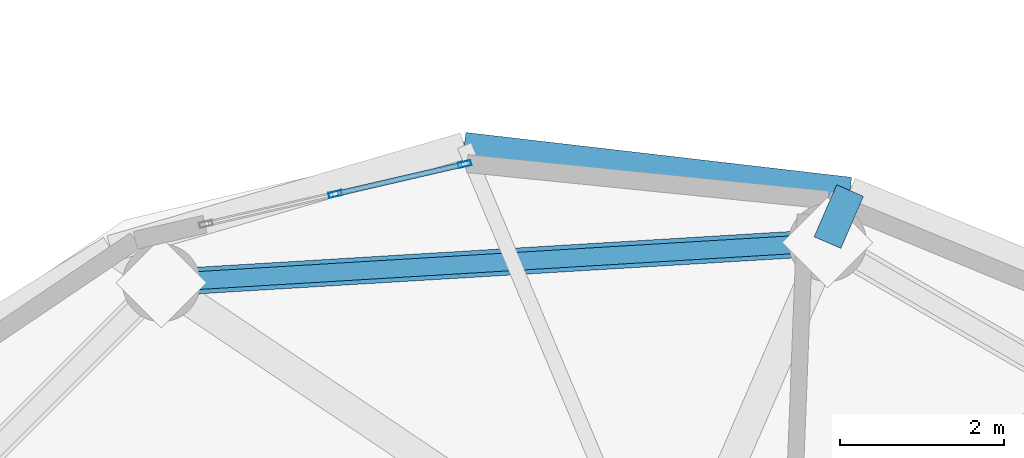
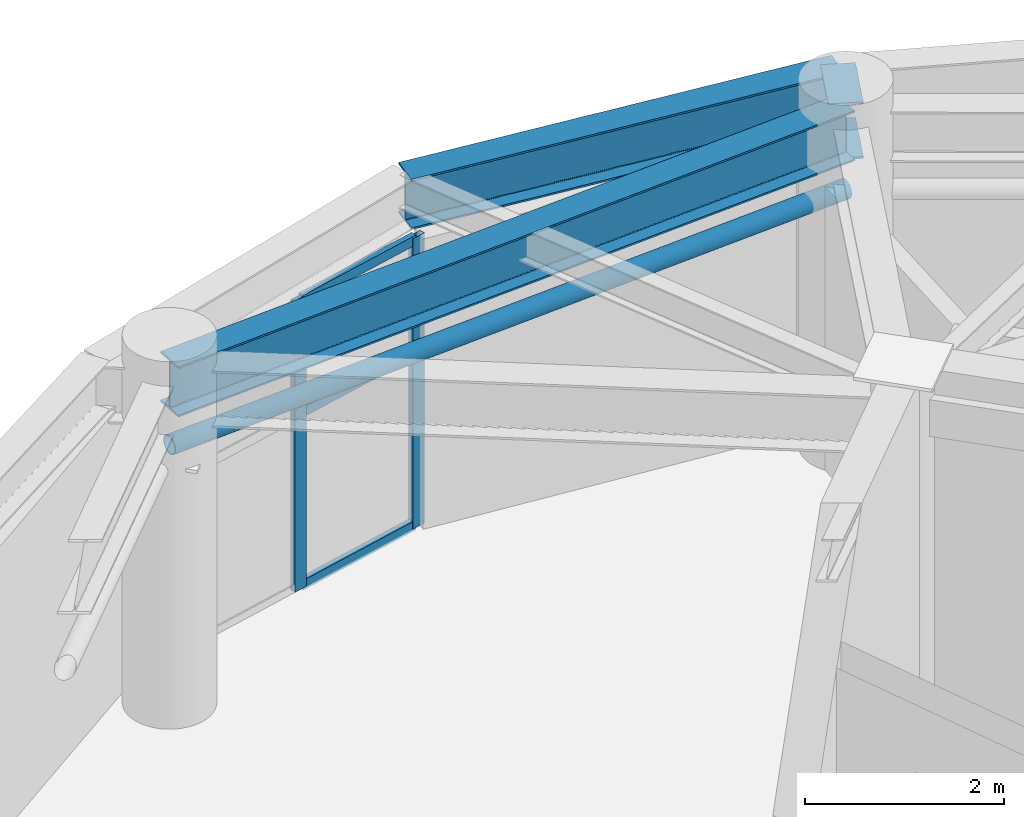
# One storey, part 17 of 26: 6 members, 3 beams, 1 element without a shape of its own.
"""IFC4 building model written with IfcOpenShell, lengths in metres."""

import ifcopenshell
import ifcopenshell.guid

model = None  # the IFC model being written
_history = None  # IfcOwnerHistory: only IFC2X3 demands one
_inside = {}  # id of a spatial element -> (the spatial element, [elements in it])
_under = {}  # id of a project, library or spatial element -> (it, [spatial elements below it])
_declared = {}  # id of a project -> (the project, [libraries it declares])
_typed = {}  # id of a type object -> (the type object, [elements of that type])
_made_of = {}  # id of a material, layer set ... -> (it, [elements and type objects made of it])


def new_model(schema):
    """Start an empty IFC model of exactly this schema.

    Asked for "IFC4X3", IfcOpenShell would pick the latest addendum, in which some entities
    have other attributes; the version numbers below select the first issue.
    IFC2X3 requires an IfcOwnerHistory on every rooted entity: one is made here for all.
    """
    global model, _history
    if schema == "IFC4X3":
        model = ifcopenshell.file(schema_version=(4, 3, 0, 0))
    else:
        model = ifcopenshell.file(schema=schema)
    _inside.clear()
    _under.clear()
    _declared.clear()
    _typed.clear()
    _made_of.clear()
    _history = None
    if model.schema == "IFC2X3":
        org = make("IfcOrganization", Name="unknown")
        user = make(
            "IfcPersonAndOrganization",
            ThePerson=make("IfcPerson", FamilyName="unknown"),
            TheOrganization=org,
        )
        app = make(
            "IfcApplication",
            ApplicationDeveloper=org,
            Version="unknown",
            ApplicationFullName="unknown",
            ApplicationIdentifier="unknown",
        )
        _history = make(
            "IfcOwnerHistory",
            OwningUser=user,
            OwningApplication=app,
            ChangeAction="ADDED",
            CreationDate=0,
        )
    return model


def make(cls, **values):
    """One entity of the class cls with the attributes given. An attribute that is None is left unset."""
    return model.create_entity(
        cls, **{name: value for name, value in values.items() if value is not None}
    )


def rooted(cls, **values):
    """An entity with a GlobalId (a new one), such as an element, a storey or a relation."""
    return make(cls, GlobalId=ifcopenshell.guid.new(), OwnerHistory=_history, **values)


def si_unit(unit_type, name, prefix=None):
    """IfcSIUnit, for example si_unit("LENGTHUNIT", "METRE", prefix="MILLI")."""
    return make("IfcSIUnit", UnitType=unit_type, Prefix=prefix, Name=name)


def assignment(units):
    """IfcUnitAssignment: the units of a project."""
    return None if units is None else make("IfcUnitAssignment", Units=units)


def point(xyz):
    """IfcCartesianPoint."""
    return None if xyz is None else make("IfcCartesianPoint", Coordinates=xyz)


def direction(xyz):
    """IfcDirection."""
    return None if xyz is None else make("IfcDirection", DirectionRatios=xyz)


def frame(location, z_axis=None, x_axis=None):
    """IfcAxis2Placement3D, a coordinate frame: its origin and axes. An axis left out is left unset."""
    return make(
        "IfcAxis2Placement3D",
        Location=point(location),
        Axis=direction(z_axis),
        RefDirection=direction(x_axis),
    )


def frame_2d(location, x_axis=None):
    """IfcAxis2Placement2D, a coordinate frame in the plane: its origin and x axis."""
    return make(
        "IfcAxis2Placement2D", Location=point(location), RefDirection=direction(x_axis)
    )


def origin():
    """The frame at (0, 0, 0) with its axes left unset."""
    return frame((0.0, 0.0, 0.0))


def origin_2d():
    """The frame at (0, 0) in the plane with its x axis left unset."""
    return frame_2d((0.0, 0.0))


def place(relative_to, where):
    """IfcLocalPlacement: puts the frame where relative to a parent placement (None: the world)."""
    return make(
        "IfcLocalPlacement", PlacementRelTo=relative_to, RelativePlacement=where
    )


def context(
    kind, dimensions, precision=None, world=None, true_north=None, identifier=None
):
    """IfcGeometricRepresentationContext, for example the 3D "Model" context."""
    return make(
        "IfcGeometricRepresentationContext",
        ContextIdentifier=identifier,
        ContextType=kind,
        CoordinateSpaceDimension=dimensions,
        Precision=precision,
        WorldCoordinateSystem=world,
        TrueNorth=true_north,
    )


def subcontext(parent, identifier, kind, view, scale=None):
    """IfcGeometricRepresentationSubContext, for example "Body" below "Model"."""
    return make(
        "IfcGeometricRepresentationSubContext",
        ContextIdentifier=identifier,
        ContextType=kind,
        ParentContext=parent,
        TargetScale=scale,
        TargetView=view,
    )


def project(units=None, contexts=None):
    """IfcProject with its units and contexts."""
    return rooted(
        "IfcProject",
        Name="project",
        RepresentationContexts=contexts,
        UnitsInContext=assignment(units),
    )


def spatial(cls, under=None, at=None, **own):
    """A site, building, storey or space (cls), placed at a placement, below another one or the project."""
    s = rooted(cls, ObjectPlacement=at, **own)
    if under is not None:
        _under.setdefault(under.id(), (under, []))[1].append(s)
    return s


def profile(cls, at=None, kind="AREA", **sizes):
    """A parametric profile (cls). Its sizes go by their IFC names, for example OverallWidth=200.0."""
    return make(cls, ProfileType=kind, Position=at, **sizes)


def hollow_rectangle(**sizes):
    """IfcRectangleHollowProfileDef."""
    return profile("IfcRectangleHollowProfileDef", **sizes)


def hollow_circle(**sizes):
    """IfcCircleHollowProfileDef."""
    return profile("IfcCircleHollowProfileDef", **sizes)


def i_section(**sizes):
    """IfcIShapeProfileDef."""
    return profile("IfcIShapeProfileDef", **sizes)


def extrude(swept, where, along, depth):
    """IfcExtrudedAreaSolid: the profile swept, set in the frame where, extruded along a direction by depth."""
    return make(
        "IfcExtrudedAreaSolid",
        SweptArea=swept,
        Position=where,
        ExtrudedDirection=direction(along),
        Depth=depth,
    )


def shape(context_of_items, identifier, shape_type, items):
    """IfcShapeRepresentation: the items that make up one representation, for example the "Body"."""
    return make(
        "IfcShapeRepresentation",
        ContextOfItems=context_of_items,
        RepresentationIdentifier=identifier,
        RepresentationType=shape_type,
        Items=items,
    )


def material(Name=None, Category=None):
    """IfcMaterial."""
    return make("IfcMaterial", Name=Name, Category=Category)


def layer(
    of_material, thickness, ventilated=None, Name=None, Category=None, Priority=None
):
    """IfcMaterialLayer: one layer of a wall or slab, of a material (None: an air gap)."""
    return make(
        "IfcMaterialLayer",
        Material=of_material,
        LayerThickness=thickness,
        IsVentilated=ventilated,
        Name=Name,
        Category=Category,
        Priority=Priority,
    )


def layer_set(layers, Name=None):
    """IfcMaterialLayerSet."""
    return make("IfcMaterialLayerSet", MaterialLayers=layers, LayerSetName=Name)


def material_profile(
    of_material, cross_section, Name=None, Category=None, Priority=None
):
    """IfcMaterialProfile: a cross section and its material."""
    return make(
        "IfcMaterialProfile",
        Name=Name,
        Material=of_material,
        Profile=cross_section,
        Priority=Priority,
        Category=Category,
    )


def profile_set(profiles, Name=None, composite=None):
    """IfcMaterialProfileSet."""
    return make(
        "IfcMaterialProfileSet",
        Name=Name,
        MaterialProfiles=profiles,
        CompositeProfile=composite,
    )


def made_of(thing, what):
    """Note that an element or type object is made of a material, layer set ...; save() writes the relation."""
    if what is not None:
        _made_of.setdefault(what.id(), (what, []))[1].append(thing)
    return thing


def type_object(cls, material=None, **own):
    """A type object (cls), such as IfcWallType, which elements share."""
    return made_of(rooted(cls, **own), material)


def element(
    cls,
    number,
    at=None,
    inside=None,
    cuts=None,
    type_object=None,
    material=None,
    context=None,
    identifier="Body",
    shape_type=None,
    held_by="IfcProductDefinitionShape",
    body=None,
    shapes=None,
    **own,
):
    """One element of the class cls, such as IfcWall. Its Tag is "e" and its number.

    at: its placement. inside: the storey or other place that contains it. cuts: it is an
    opening in that element (IfcRelVoidsElement). A single representation is given by context,
    identifier, shape_type and body (its items); several are given by shapes. held_by: the class
    of the entity that holds the representations. save() writes the other relations.
    """
    e = rooted(cls, Tag="e%d" % number, ObjectPlacement=at, **own)
    if body is not None:
        shapes = [shape(context, identifier, shape_type, body)]
    if shapes is not None:
        e.Representation = make(held_by, Representations=shapes)
    if inside is not None:
        _inside.setdefault(inside.id(), (inside, []))[1].append(e)
    if cuts is not None:
        rooted(
            "IfcRelVoidsElement", RelatingBuildingElement=cuts, RelatedOpeningElement=e
        )
    if type_object is not None:
        _typed.setdefault(type_object.id(), (type_object, []))[1].append(e)
    return made_of(e, material)


def aggregate(whole, parts):
    """IfcRelAggregates: a whole, such as a stair, and the parts it consists of."""
    return rooted("IfcRelAggregates", RelatingObject=whole, RelatedObjects=parts)


def save(model, path):
    """Write the relations noted so far, then the file.

    IfcRelAggregates (storeys below a building ...), IfcRelContainedInSpatialStructure (elements
    in a storey), IfcRelDefinesByType, IfcRelAssociatesMaterial and IfcRelDeclares: one each for
    every whole, place, type object, material and project.
    """
    for whole, parts in _under.values():
        aggregate(whole, parts)
    for where, things in _inside.values():
        rooted(
            "IfcRelContainedInSpatialStructure",
            RelatedElements=things,
            RelatingStructure=where,
        )
    for kind, things in _typed.values():
        rooted("IfcRelDefinesByType", RelatedObjects=things, RelatingType=kind)
    for what, things in _made_of.values():
        rooted("IfcRelAssociatesMaterial", RelatedObjects=things, RelatingMaterial=what)
    for by, libraries in _declared.values():
        rooted("IfcRelDeclares", RelatingContext=by, RelatedDefinitions=libraries)
    model.write(path)


model = new_model("IFC4")

# Units and contexts
model_context = context("Model", 3, precision=1e-05, world=origin(), true_north=direction((0.0, 1.0)))
body_context = subcontext(model_context, "Body", "Model", "MODEL_VIEW")
ifc_project = project(units=[si_unit("LENGTHUNIT", "METRE"), si_unit("AREAUNIT", "SQUARE_METRE"), si_unit("VOLUMEUNIT", "CUBIC_METRE"), si_unit("PLANEANGLEUNIT", "RADIAN"), si_unit("MASSUNIT", "GRAM", prefix="KILO")], contexts=[model_context])

# Site, building, storey
site_placement = place(None, origin())
site = spatial("IfcSite", under=ifc_project, at=site_placement, CompositionType="ELEMENT")
building_placement = place(site_placement, origin())
building = spatial("IfcBuilding", under=site, at=building_placement, Name="Cununo Teusaquillo Station Towers", CompositionType="ELEMENT")
storey_placement = place(building_placement, frame((0.0, 0.0, 240.330078125)))
storey = spatial("IfcBuildingStorey", under=building, at=storey_placement, Name="L76", CompositionType="ELEMENT", Elevation=240.330078125)

# Beams
ifc_material_1 = material(Name="Steel ASTM A572 Grade 50", Category="steel")
ifc_material_profile_1 = material_profile(ifc_material_1, i_section(OverallWidth=0.35498046875, OverallDepth=0.696044921875, WebThickness=0.015380859375, FlangeThickness=0.02490234375, FilletRadius=0.01806640625, at=origin_2d()), Name="W27X146")
ifc_profile_set_1 = profile_set([ifc_material_profile_1], Name="Steel ASTM A572 Grade 50")
beam_type_1 = type_object("IfcBeamType", Name="BM-PLNT-G1", PredefinedType="BEAM", material=ifc_profile_set_1)
beam_1_placement = place(storey_placement, frame((58.291015625, 37.63525390625, 3.851806640625), z_axis=(0.397409333503, 0.917641445034, 0.0), x_axis=(-0.917641445034, 0.397409333503, 0.0)))
element("IfcBeam", 1, at=beam_1_placement, inside=storey, type_object=beam_type_1, Name="L76 Tower B Perimeter Overhang Girder 02B", PredefinedType="BEAM", context=body_context, shape_type="SweptSolid", body=[
    extrude(i_section(OverallWidth=0.35498046875, OverallDepth=0.696044921875, WebThickness=0.015380859375, FlangeThickness=0.02490234375, FilletRadius=0.01806640625, at=origin_2d()), origin(), (0.0, 0.0, 1.0), 0.691650390625),
])
ifc_material_2 = material(Name="Steel ASTM A572 Grade 50", Category="steel")
ifc_material_profile_2 = material_profile(ifc_material_2, i_section(OverallWidth=0.324951171875, OverallDepth=0.615966796875, WebThickness=0.013916015625, FlangeThickness=0.021484375, FilletRadius=0.01611328125, at=origin_2d()), Name="W24X117")
ifc_profile_set_2 = profile_set([ifc_material_profile_2], Name="Steel ASTM A572 Grade 50")
beam_type_2 = type_object("IfcBeamType", Name="BM-PLNT-G2", PredefinedType="BEAM", material=ifc_profile_set_2)
beam_2_placement = place(storey_placement, frame((58.291015625, 37.63525390625, 3.891845703125), z_axis=(-0.998190567048, -0.06012979176, 0.0), x_axis=(0.06012979176, -0.998190567048, 0.0)))
element("IfcBeam", 2, at=beam_2_placement, inside=storey, type_object=beam_type_2, Name="L76 Tower B Structural Column Ring Girder 02", PredefinedType="BEAM", context=body_context, shape_type="SweptSolid", body=[
    extrude(i_section(OverallWidth=0.324951171875, OverallDepth=0.615966796875, WebThickness=0.013916015625, FlangeThickness=0.021484375, FilletRadius=0.01611328125, at=origin_2d()), origin(), (0.0, 0.0, 1.0), 8.132568359375),
])
beam_3_placement = place(storey_placement, frame((58.56591796875, 38.27001953125, 3.891845703125), z_axis=(-0.993313022334, 0.115452326356, 0.0), x_axis=(-0.115452326356, -0.993313022334, 0.0)))
element("IfcBeam", 3, at=beam_3_placement, inside=storey, type_object=beam_type_2, Name="L76 Tower B Spandrel Ring Beam 03", PredefinedType="BEAM", context=body_context, shape_type="SweptSolid", body=[
    extrude(i_section(OverallWidth=0.324951171875, OverallDepth=0.615966796875, WebThickness=0.013916015625, FlangeThickness=0.021484375, FilletRadius=0.01611328125, at=origin_2d()), origin(), (0.0, 0.0, 1.0), 4.732666015625),
])

# Curtain wall, members
ifc_material_3 = material(Name="Ceramic-fritted dark low-E double glazing", Category="glass")
ifc_layer = layer(ifc_material_3, 0.179931640625)
ifc_layer_set = layer_set([ifc_layer], Name="Ceramic-fritted dark low-E double glazing")
curtain_wall_type = type_object("IfcCurtainWallType", Name="CW-SYS-08", PredefinedType="USERDEFINED", material=ifc_layer_set)
curtain_wall_placement = place(storey_placement, origin())
curtain_wall = element("IfcCurtainWall", 4, at=curtain_wall_placement, inside=storey, type_object=curtain_wall_type, Name="L76 Tower B Crown Drum Glazed Screen C03", ObjectType="FRITTED GLAZING", PredefinedType="USERDEFINED")
ifc_material_4 = material(Name="Anodised dark bronze aluminium EN AW-6063-T6", Category="aluminium")
ifc_material_profile_3 = material_profile(ifc_material_4, hollow_rectangle(XDim=0.06494140625, YDim=0.159912109375, WallThickness=0.00390625, at=origin_2d()), Name="CW-MULL-65x160")
ifc_profile_set_3 = profile_set([ifc_material_profile_3], Name="Anodised dark bronze aluminium EN AW-6063-T6")
member_type_1 = type_object("IfcMemberType", Name="CWM-160", PredefinedType="MULLION", material=ifc_profile_set_3)
member_1_placement = place(storey_placement, frame((52.2919921875, 38.22705078125, 0.0), z_axis=(0.0, 0.0, 1.0), x_axis=(-0.225465813065, 0.974251080132, 0.0)))
member_1 = element("IfcMember", 5, at=member_1_placement, type_object=member_type_1, Name="CW-08 mullion 2", PredefinedType="MULLION", context=body_context, shape_type="SweptSolid", body=[
    extrude(hollow_rectangle(XDim=0.06494140625, YDim=0.159912109375, WallThickness=0.00390625, at=origin_2d()), origin(), (0.0, 0.0, 1.0), 3.555908203125),
])
member_2_placement = place(storey_placement, frame((53.867919921875, 38.591796875, 0.0), z_axis=(0.0, 0.0, 1.0), x_axis=(-0.225465813065, 0.974251080132, 0.0)))
member_2 = element("IfcMember", 6, at=member_2_placement, type_object=member_type_1, Name="CW-08 mullion 3", PredefinedType="MULLION", context=body_context, shape_type="SweptSolid", body=[
    extrude(hollow_rectangle(XDim=0.06494140625, YDim=0.159912109375, WallThickness=0.00390625, at=origin_2d()), origin(), (0.0, 0.0, 1.0), 3.555908203125),
])
ifc_material_5 = material(Name="Anodised dark bronze aluminium EN AW-6063-T6", Category="aluminium")
ifc_material_profile_4 = material_profile(ifc_material_5, hollow_rectangle(XDim=0.06494140625, YDim=0.1201171875, WallThickness=0.00390625, at=origin_2d()), Name="CW-TRAN-65x120")
ifc_profile_set_4 = profile_set([ifc_material_profile_4], Name="Anodised dark bronze aluminium EN AW-6063-T6")
member_type_2 = type_object("IfcMemberType", Name="CWT-120", PredefinedType="USERDEFINED", material=ifc_profile_set_4)
member_3_placement = place(storey_placement, frame((52.32373046875, 38.234375, 0.032470703125), z_axis=(0.974239897946, 0.225514126498, 0.0), x_axis=(-0.225514126498, 0.974239897946, 0.0)))
member_3 = element("IfcMember", 7, at=member_3_placement, type_object=member_type_2, Name="CW-08 transom 2.1", ObjectType="TRANSOM", PredefinedType="USERDEFINED", context=body_context, shape_type="SweptSolid", body=[
    extrude(hollow_rectangle(XDim=0.06494140625, YDim=0.1201171875, WallThickness=0.00390625, at=origin_2d()), origin(), (0.0, 0.0, 1.0), 1.552490234375),
])
member_4_placement = place(storey_placement, frame((52.32373046875, 38.234375, 2.14990234375), z_axis=(0.974239897946, 0.225514126498, 0.0), x_axis=(-0.225514126498, 0.974239897946, 0.0)))
member_4 = element("IfcMember", 8, at=member_4_placement, type_object=member_type_2, Name="CW-08 transom 2.2", ObjectType="TRANSOM", PredefinedType="USERDEFINED", context=body_context, shape_type="SweptSolid", body=[
    extrude(hollow_rectangle(XDim=0.06494140625, YDim=0.1201171875, WallThickness=0.00390625, at=origin_2d()), origin(), (0.0, 0.0, 1.0), 1.552490234375),
])
member_5_placement = place(storey_placement, frame((52.32373046875, 38.234375, 3.5234375), z_axis=(0.974239897946, 0.225514126498, 0.0), x_axis=(-0.225514126498, 0.974239897946, 0.0)))
member_5 = element("IfcMember", 9, at=member_5_placement, type_object=member_type_2, Name="CW-08 transom 2.3", ObjectType="TRANSOM", PredefinedType="USERDEFINED", context=body_context, shape_type="SweptSolid", body=[
    extrude(hollow_rectangle(XDim=0.06494140625, YDim=0.1201171875, WallThickness=0.00390625, at=origin_2d()), origin(), (0.0, 0.0, 1.0), 1.552490234375),
])
aggregate(curtain_wall, [member_1, member_2, member_3, member_4, member_5])

# Member
ifc_material_6 = material(Name="Steel EN 10025-2 S355J2", Category="steel")
ifc_material_profile_5 = material_profile(ifc_material_6, hollow_circle(Radius=0.109619140625, WallThickness=0.010009765625, at=origin_2d()), Name="CHS 219x10")
ifc_profile_set_5 = profile_set([ifc_material_profile_5], Name="Steel EN 10025-2 S355J2")
member_type_3 = type_object("IfcMemberType", Name="MBR-DRUM-COL", PredefinedType="COLLAR", material=ifc_profile_set_5)
member_6_placement = place(storey_placement, frame((58.291015625, 37.63525390625, 3.14990234375), z_axis=(-0.998190567048, -0.06012979176, 0.0), x_axis=(0.06012979176, -0.998190567048, 0.0)))
element("IfcMember", 10, at=member_6_placement, inside=storey, type_object=member_type_3, Name="L76 Tower B Crown Drum Collar 02", PredefinedType="COLLAR", context=body_context, shape_type="SweptSolid", body=[
    extrude(hollow_circle(Radius=0.109619140625, WallThickness=0.010009765625, at=origin_2d()), origin(), (0.0, 0.0, 1.0), 8.132568359375),
])

save(model, "model.ifc")
